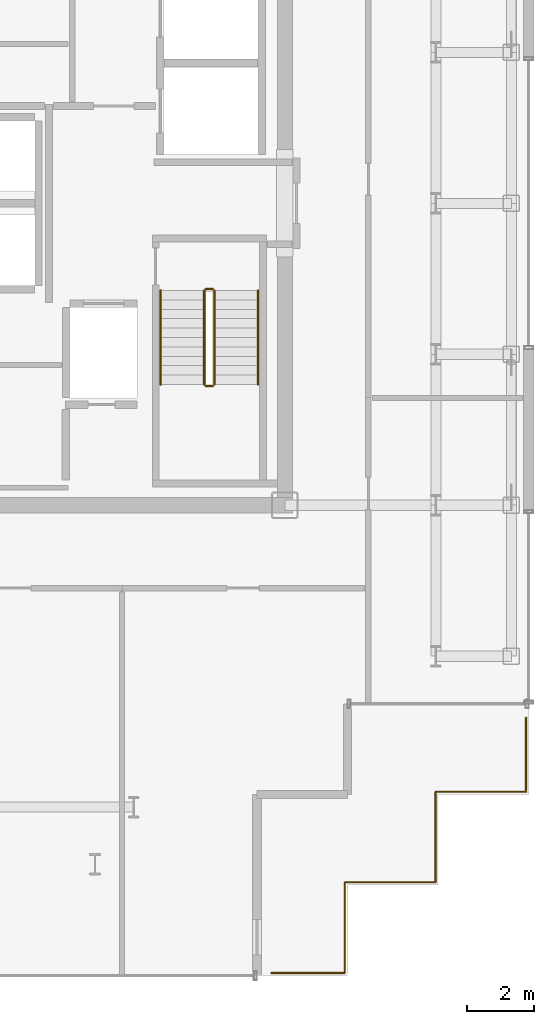
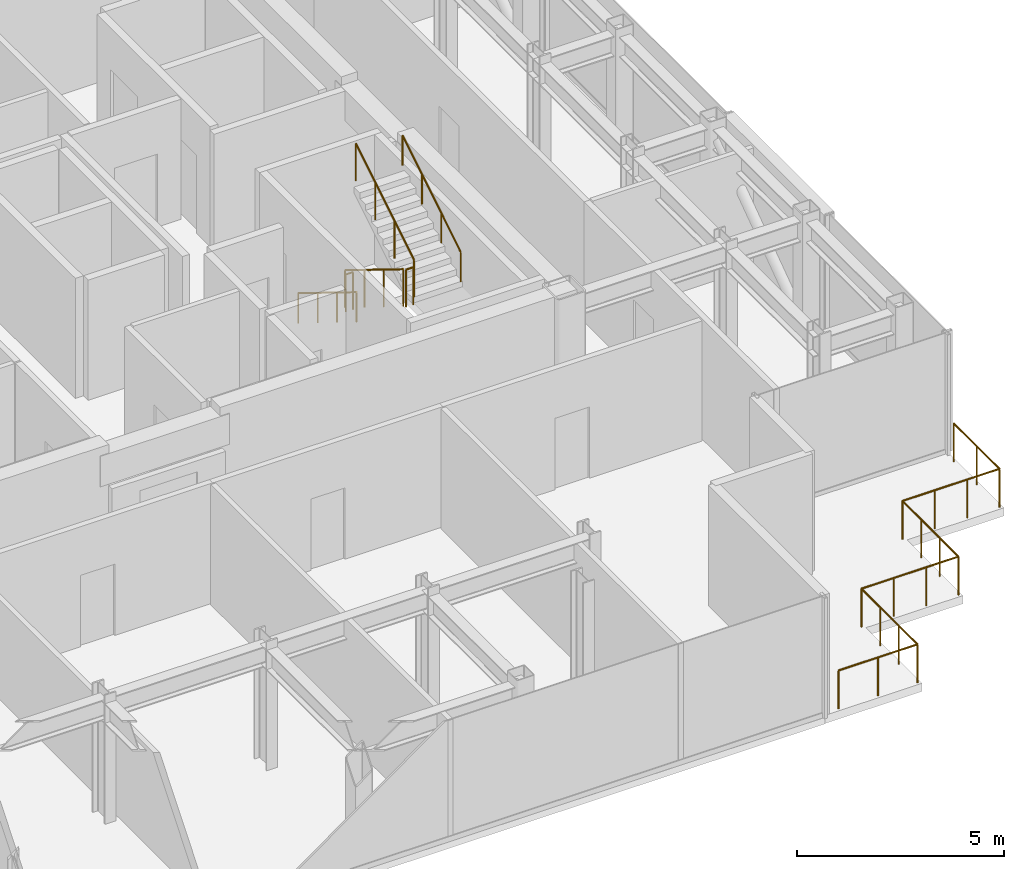
# One storey, part 17 of 18: 8 railings.
"""IFC4 building model written with IfcOpenShell, lengths in metres."""

from ifc_helpers import new_model, si_unit, direction, frame, origin, origin_2d, place, context, subcontext, project, spatial, circle, extrude, material, type_object, element, save


model = new_model("IFC4")

# Units and contexts
model_context = context("Model", 3, precision=1e-05, world=origin(), true_north=direction((0.0, 1.0)))
body_context = subcontext(model_context, "Body", "Model", "MODEL_VIEW")
ifc_project = project(units=[si_unit("LENGTHUNIT", "METRE"), si_unit("AREAUNIT", "SQUARE_METRE"), si_unit("VOLUMEUNIT", "CUBIC_METRE"), si_unit("PLANEANGLEUNIT", "RADIAN"), si_unit("MASSUNIT", "GRAM", prefix="KILO")], contexts=[model_context])

# Site, building, storey
site_placement = place(None, origin())
site = spatial("IfcSite", under=ifc_project, at=site_placement, CompositionType="ELEMENT")
building_placement = place(site_placement, origin())
building = spatial("IfcBuilding", under=site, at=building_placement, Name="Nefas-Gora Pilgrimage Tower", CompositionType="ELEMENT")
storey_placement = place(building_placement, frame((0.0, 0.0, 298.800048828125)))
storey = spatial("IfcBuildingStorey", under=building, at=storey_placement, Name="L75", CompositionType="ELEMENT", Elevation=298.800048828125)

# Railings
ifc_material_1 = material(Name="Painted galvanised steel", Category="steel")
railing_type_1 = type_object("IfcRailingType", Name="RLG-STR-GUARD-1100", PredefinedType="GUARDRAIL", material=ifc_material_1)
railing_1_placement = place(storey_placement, frame((8.85009765625, -2.60009765625, 0.172607421875)))
element("IfcRailing", 1, at=railing_1_placement, inside=storey, type_object=railing_type_1, Name="L75 ST-02 stair guard 1", PredefinedType="GUARDRAIL", context=body_context, shape_type="SweptSolid", body=[
    extrude(circle(Radius=0.02392578125, at=origin_2d()), frame((0.0, 0.0, 1.09619140625), z_axis=(0.0, -0.851069175582, 0.525053576669), x_axis=(1.0, 0.0, 0.0)), (0.0, 0.0, 1.0), 3.289794921875),
    extrude(circle(Radius=0.02099609375, at=origin_2d()), origin(), (0.0, 0.0, 1.0), 1.072021484375),
    extrude(circle(Radius=0.02099609375, at=origin_2d()), frame((0.0, -0.933349609375, 0.57568359375)), (0.0, 0.0, 1.0), 1.072021484375),
    extrude(circle(Radius=0.02099609375, at=origin_2d()), frame((0.0, -1.866455078125, 1.151611328125)), (0.0, 0.0, 1.0), 1.072021484375),
    extrude(circle(Radius=0.02099609375, at=origin_2d()), frame((0.0, -2.7998046875, 1.727294921875)), (0.0, 0.0, 1.0), 1.072021484375),
])
railing_2_placement = place(storey_placement, frame((8.89990234375, -5.449951171875, 1.89990234375)))
element("IfcRailing", 2, at=railing_2_placement, inside=storey, type_object=railing_type_1, Name="L75 ST-02 stair guard 2", PredefinedType="GUARDRAIL", context=body_context, shape_type="SweptSolid", body=[
    extrude(circle(Radius=0.02392578125, at=origin_2d()), frame((0.0, 0.0, 1.09619140625), z_axis=(1.0, 0.0, 0.0), x_axis=(0.0, 1.0, 0.0)), (0.0, 0.0, 1.0), 0.2001953125),
    extrude(circle(Radius=0.02099609375, at=origin_2d()), origin(), (0.0, 0.0, 1.0), 1.072021484375),
    extrude(circle(Radius=0.02099609375, at=origin_2d()), frame((0.2001953125, 0.0, 0.0)), (0.0, 0.0, 1.0), 1.072021484375),
])
railing_3_placement = place(storey_placement, frame((9.14990234375, -5.39990234375, 2.07275390625)))
element("IfcRailing", 3, at=railing_3_placement, inside=storey, type_object=railing_type_1, Name="L75 ST-02 stair guard 3", PredefinedType="GUARDRAIL", context=body_context, shape_type="SweptSolid", body=[
    extrude(circle(Radius=0.02392578125, at=origin_2d()), frame((0.0, 0.0, 1.09619140625), z_axis=(0.0, 0.851069175582, 0.525053576669), x_axis=(-1.0, 0.0, 0.0)), (0.0, 0.0, 1.0), 3.289794921875),
    extrude(circle(Radius=0.02099609375, at=origin_2d()), origin(), (0.0, 0.0, 1.0), 1.072021484375),
    extrude(circle(Radius=0.02099609375, at=origin_2d()), frame((0.0, 0.933349609375, 0.57568359375)), (0.0, 0.0, 1.0), 1.072021484375),
    extrude(circle(Radius=0.02099609375, at=origin_2d()), frame((0.0, 1.866455078125, 1.151611328125)), (0.0, 0.0, 1.0), 1.072021484375),
    extrude(circle(Radius=0.02099609375, at=origin_2d()), frame((0.0, 2.7998046875, 1.727294921875)), (0.0, 0.0, 1.0), 1.072021484375),
])
railing_4_placement = place(storey_placement, frame((8.89990234375, -2.550048828125, 0.0)))
element("IfcRailing", 4, at=railing_4_placement, inside=storey, type_object=railing_type_1, Name="L75 ST-02 stair guard 4", PredefinedType="GUARDRAIL", context=body_context, shape_type="SweptSolid", body=[
    extrude(circle(Radius=0.02392578125, at=origin_2d()), frame((0.0, 0.0, 1.09619140625), z_axis=(1.0, 0.0, 0.0), x_axis=(0.0, 1.0, 0.0)), (0.0, 0.0, 1.0), 0.2001953125),
    extrude(circle(Radius=0.02099609375, at=origin_2d()), origin(), (0.0, 0.0, 1.0), 1.072021484375),
    extrude(circle(Radius=0.02099609375, at=origin_2d()), frame((0.2001953125, 0.0, 0.0)), (0.0, 0.0, 1.0), 1.072021484375),
])
ifc_material_2 = material(Name="Brushed stainless steel", Category="steel")
railing_type_2 = type_object("IfcRailingType", Name="RLG-STR-HAND-900", PredefinedType="HANDRAIL", material=ifc_material_2)
railing_5_placement = place(storey_placement, frame((7.550048828125, -2.60009765625, 0.172607421875)))
element("IfcRailing", 5, at=railing_5_placement, inside=storey, type_object=railing_type_2, Name="L75 ST-02 stair handrail 1", PredefinedType="HANDRAIL", context=body_context, shape_type="SweptSolid", body=[
    extrude(circle(Radius=0.02392578125, at=origin_2d()), frame((0.0, 0.0, 0.8759765625), z_axis=(0.0, -0.851069175582, 0.525053576669), x_axis=(1.0, 0.0, 0.0)), (0.0, 0.0, 1.0), 3.289794921875),
    extrude(circle(Radius=0.02099609375, at=origin_2d()), origin(), (0.0, 0.0, 1.0), 0.851806640625),
    extrude(circle(Radius=0.02099609375, at=origin_2d()), frame((0.0, -0.933349609375, 0.57568359375)), (0.0, 0.0, 1.0), 0.851806640625),
    extrude(circle(Radius=0.02099609375, at=origin_2d()), frame((0.0, -1.866455078125, 1.151611328125)), (0.0, 0.0, 1.0), 0.851806640625),
    extrude(circle(Radius=0.02099609375, at=origin_2d()), frame((0.0, -2.7998046875, 1.727294921875)), (0.0, 0.0, 1.0), 0.851806640625),
])
railing_6_placement = place(storey_placement, frame((10.449951171875, -5.39990234375, 2.07275390625)))
element("IfcRailing", 6, at=railing_6_placement, inside=storey, type_object=railing_type_2, Name="L75 ST-02 stair handrail 2", PredefinedType="HANDRAIL", context=body_context, shape_type="SweptSolid", body=[
    extrude(circle(Radius=0.02392578125, at=origin_2d()), frame((0.0, 0.0, 0.8759765625), z_axis=(0.0, 0.851069175582, 0.525053576669), x_axis=(-1.0, 0.0, 0.0)), (0.0, 0.0, 1.0), 3.289794921875),
    extrude(circle(Radius=0.02099609375, at=origin_2d()), origin(), (0.0, 0.0, 1.0), 0.851806640625),
    extrude(circle(Radius=0.02099609375, at=origin_2d()), frame((0.0, 0.933349609375, 0.57568359375)), (0.0, 0.0, 1.0), 0.851806640625),
    extrude(circle(Radius=0.02099609375, at=origin_2d()), frame((0.0, 1.866455078125, 1.151611328125)), (0.0, 0.0, 1.0), 0.851806640625),
    extrude(circle(Radius=0.02099609375, at=origin_2d()), frame((0.0, 2.7998046875, 1.727294921875)), (0.0, 0.0, 1.0), 0.851806640625),
])
ifc_material_3 = material(Name="Laminated safety glass and stainless steel", Category="steel")
railing_type_3 = type_object("IfcRailingType", Name="RLG-TER-1150", PredefinedType="BALUSTRADE", material=ifc_material_3)
railing_7_placement = place(storey_placement, frame((18.43994140625, -17.5400390625, 0.0)))
element("IfcRailing", 7, at=railing_7_placement, inside=storey, type_object=railing_type_3, Name="L75 Terrace Continuous Balustrade TER-SP-SE.1", PredefinedType="BALUSTRADE", context=body_context, shape_type="SweptSolid", body=[
    extrude(circle(Radius=0.02392578125, at=origin_2d()), frame((0.0, 0.0, 1.1259765625), z_axis=(-1.0, 0.0, 0.0), x_axis=(0.0, -1.0, 0.0)), (0.0, 0.0, 1.0), 2.699951171875),
    extrude(circle(Radius=0.02392578125, at=origin_2d()), frame((-2.699951171875, 0.0, 1.1259765625), z_axis=(0.0, -1.0, 0.0), x_axis=(1.0, 0.0, 0.0)), (0.0, 0.0, 1.0), 2.699951171875),
    extrude(circle(Radius=0.02392578125, at=origin_2d()), frame((-2.699951171875, -2.699951171875, 1.1259765625), z_axis=(-1.0, 0.0, 0.0), x_axis=(0.0, -1.0, 0.0)), (0.0, 0.0, 1.0), 2.699951171875),
    extrude(circle(Radius=0.02392578125, at=origin_2d()), frame((-5.39990234375, -2.699951171875, 1.1259765625), z_axis=(0.0, -1.0, 0.0), x_axis=(1.0, 0.0, 0.0)), (0.0, 0.0, 1.0), 2.699951171875),
    extrude(circle(Radius=0.02392578125, at=origin_2d()), frame((-5.39990234375, -5.39990234375, 1.1259765625), z_axis=(-1.0, 0.0, 0.0), x_axis=(0.0, -1.0, 0.0)), (0.0, 0.0, 1.0), 2.199951171875),
    extrude(circle(Radius=0.02099609375, at=origin_2d()), origin(), (0.0, 0.0, 1.0), 1.101806640625),
    extrude(circle(Radius=0.02099609375, at=origin_2d()), frame((-0.89990234375, 0.0, 0.0)), (0.0, 0.0, 1.0), 1.101806640625),
    extrude(circle(Radius=0.02099609375, at=origin_2d()), frame((-1.800048828125, 0.0, 0.0)), (0.0, 0.0, 1.0), 1.101806640625),
    extrude(circle(Radius=0.02099609375, at=origin_2d()), frame((-2.699951171875, 0.0, 0.0)), (0.0, 0.0, 1.0), 1.101806640625),
    extrude(circle(Radius=0.02099609375, at=origin_2d()), frame((-2.699951171875, -0.89990234375, 0.0)), (0.0, 0.0, 1.0), 1.101806640625),
    extrude(circle(Radius=0.02099609375, at=origin_2d()), frame((-2.699951171875, -1.800048828125, 0.0)), (0.0, 0.0, 1.0), 1.101806640625),
    extrude(circle(Radius=0.02099609375, at=origin_2d()), frame((-2.699951171875, -2.699951171875, 0.0)), (0.0, 0.0, 1.0), 1.101806640625),
    extrude(circle(Radius=0.02099609375, at=origin_2d()), frame((-3.599853515625, -2.699951171875, 0.0)), (0.0, 0.0, 1.0), 1.101806640625),
    extrude(circle(Radius=0.02099609375, at=origin_2d()), frame((-4.5, -2.699951171875, 0.0)), (0.0, 0.0, 1.0), 1.101806640625),
    extrude(circle(Radius=0.02099609375, at=origin_2d()), frame((-5.39990234375, -2.699951171875, 0.0)), (0.0, 0.0, 1.0), 1.101806640625),
    extrude(circle(Radius=0.02099609375, at=origin_2d()), frame((-5.39990234375, -3.599853515625, 0.0)), (0.0, 0.0, 1.0), 1.101806640625),
    extrude(circle(Radius=0.02099609375, at=origin_2d()), frame((-5.39990234375, -4.5, 0.0)), (0.0, 0.0, 1.0), 1.101806640625),
    extrude(circle(Radius=0.02099609375, at=origin_2d()), frame((-5.39990234375, -5.39990234375, 0.0)), (0.0, 0.0, 1.0), 1.101806640625),
    extrude(circle(Radius=0.02099609375, at=origin_2d()), frame((-6.5, -5.39990234375, 0.0)), (0.0, 0.0, 1.0), 1.101806640625),
    extrude(circle(Radius=0.02099609375, at=origin_2d()), frame((-7.599853515625, -5.39990234375, 0.0)), (0.0, 0.0, 1.0), 1.101806640625),
])
railing_8_placement = place(storey_placement, frame((18.43994140625, -15.340087890625, 0.0)))
element("IfcRailing", 8, at=railing_8_placement, inside=storey, type_object=railing_type_3, Name="L75 Terrace Continuous Balustrade TER-SP-SE.2", PredefinedType="BALUSTRADE", context=body_context, shape_type="SweptSolid", body=[
    extrude(circle(Radius=0.02392578125, at=origin_2d()), frame((0.0, 0.0, 1.1259765625), z_axis=(0.0, -1.0, 0.0), x_axis=(1.0, 0.0, 0.0)), (0.0, 0.0, 1.0), 2.199951171875),
    extrude(circle(Radius=0.02099609375, at=origin_2d()), origin(), (0.0, 0.0, 1.0), 1.101806640625),
    extrude(circle(Radius=0.02099609375, at=origin_2d()), frame((0.0, -1.10009765625, 0.0)), (0.0, 0.0, 1.0), 1.101806640625),
    extrude(circle(Radius=0.02099609375, at=origin_2d()), frame((0.0, -2.199951171875, 0.0)), (0.0, 0.0, 1.0), 1.101806640625),
])

save(model, "model.ifc")
